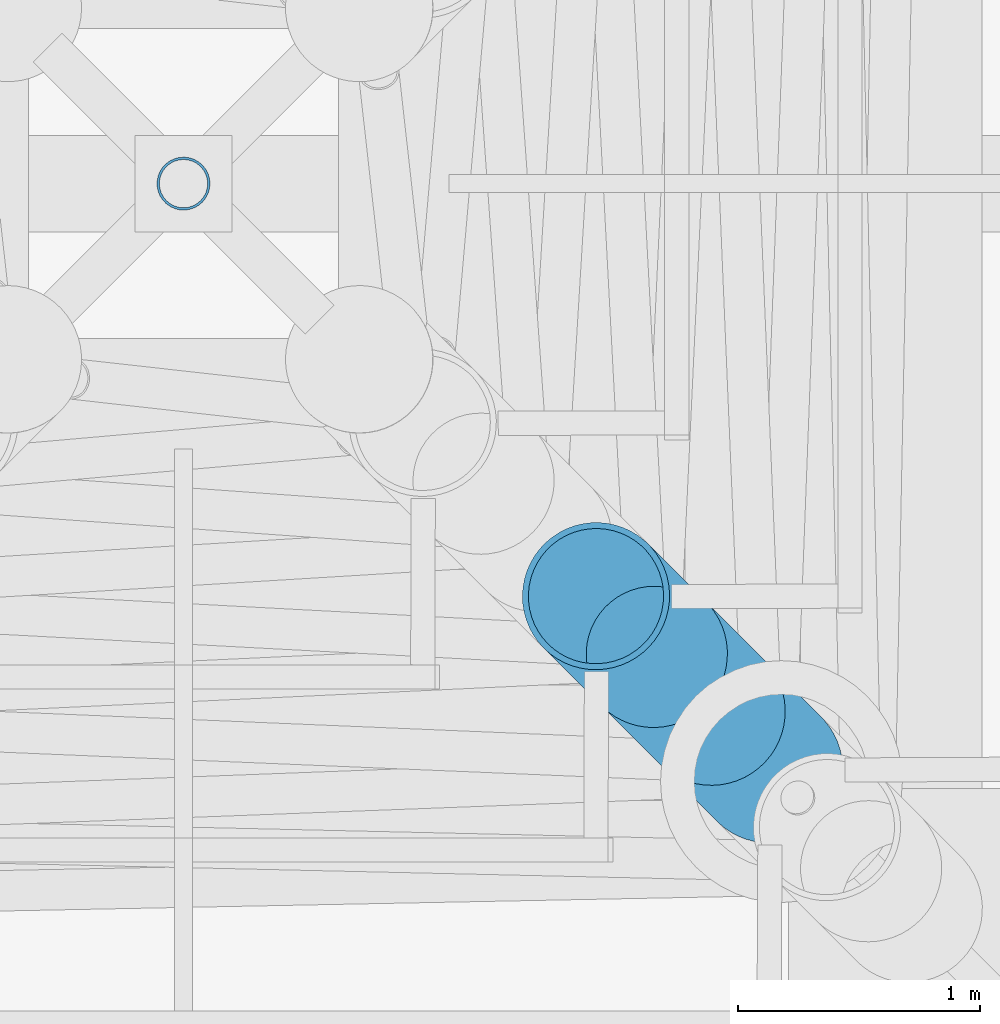
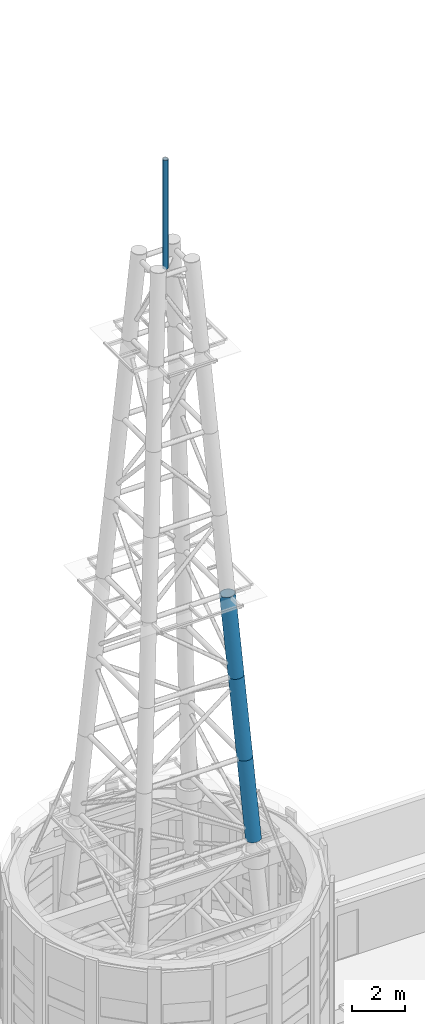
# One storey, part 3 of 36: 4 members.
"""IFC4 building model written with IfcOpenShell, lengths in metres."""

from ifc_helpers import new_model, si_unit, direction, frame, origin, origin_2d, place, context, subcontext, project, spatial, hollow_circle, extrude, material, material_profile, profile_set, type_object, element, save


model = new_model("IFC4")

# Units and contexts
model_context = context("Model", 3, precision=1e-05, world=origin(), true_north=direction((0.0, 1.0)))
body_context = subcontext(model_context, "Body", "Model", "MODEL_VIEW")
ifc_project = project(units=[si_unit("LENGTHUNIT", "METRE"), si_unit("AREAUNIT", "SQUARE_METRE"), si_unit("VOLUMEUNIT", "CUBIC_METRE"), si_unit("PLANEANGLEUNIT", "RADIAN"), si_unit("MASSUNIT", "GRAM", prefix="KILO")], contexts=[model_context])

# Site, building, storey
site_placement = place(None, origin())
site = spatial("IfcSite", under=ifc_project, at=site_placement, CompositionType="ELEMENT")
building_placement = place(site_placement, origin())
building = spatial("IfcBuilding", under=site, at=building_placement, Name="Ipe Terrace Towers", CompositionType="ELEMENT")
storey_placement = place(building_placement, frame((0.0, 0.0, 264.89990234375)))
storey = spatial("IfcBuildingStorey", under=building, at=storey_placement, Name="Roof", CompositionType="ELEMENT", Elevation=264.89990234375)

# Members
ifc_material_1 = material(Name="Steel S355", Category="steel")
ifc_material_profile_1 = material_profile(ifc_material_1, hollow_circle(Radius=0.109619140625, WallThickness=0.010009765625, at=origin_2d()), Name="MAST-ANTENNA CHS 219x10")
ifc_profile_set_1 = profile_set([ifc_material_profile_1], Name="Steel S355")
member_type_1 = type_object("IfcMemberType", Name="MAST-ANTENNA CHS 219x10", PredefinedType="USERDEFINED", material=ifc_profile_set_1)
member_1_placement = place(storey_placement, frame((-36.0, 0.0, 35.734130859375), z_axis=(0.0, 0.0, 1.0), x_axis=(1.0, 0.0, 0.0)))
element("IfcMember", 1, at=member_1_placement, inside=storey, type_object=member_type_1, Name="T1-MA-1 mast antenna", ObjectType="ANTENNA", PredefinedType="USERDEFINED", context=body_context, shape_type="SweptSolid", body=[
    extrude(hollow_circle(Radius=0.109619140625, WallThickness=0.010009765625, at=origin_2d()), origin(), (0.0, 0.0, 1.0), 5.0),
])
ifc_material_2 = material(Name="Steel S355", Category="steel")
ifc_material_profile_2 = material_profile(ifc_material_2, hollow_circle(Radius=0.304931640625, WallThickness=0.02490234375, at=origin_2d()), Name="MAST-LEG CHS 610x25")
ifc_profile_set_2 = profile_set([ifc_material_profile_2], Name="Steel S355")
member_type_2 = type_object("IfcMemberType", Name="MAST-LEG CHS 610x25", PredefinedType="POST", material=ifc_profile_set_2)
member_2_placement = place(storey_placement, frame((-33.5791015625, -2.4208984375, 10.18701171875), z_axis=(-0.064211293321, 0.064211293321, 0.995868374646), x_axis=(-0.707106781187, -0.707106781187, 0.0)))
element("IfcMember", 2, at=member_2_placement, inside=storey, type_object=member_type_2, Name="T1-MS-024 mast leg", PredefinedType="POST", context=body_context, shape_type="SweptSolid", body=[
    extrude(hollow_circle(Radius=0.304931640625, WallThickness=0.02490234375, at=origin_2d()), origin(), (0.0, 0.0, 1.0), 3.703369140625),
])
member_3_placement = place(storey_placement, frame((-33.81689453125, -2.18310546875, 13.875), z_axis=(-0.064555132618, 0.064555132618, 0.99582391501), x_axis=(-0.707106781187, -0.707106781187, 0.0)))
element("IfcMember", 3, at=member_3_placement, inside=storey, type_object=member_type_2, Name="T1-MS-025 mast leg", PredefinedType="POST", context=body_context, shape_type="SweptSolid", body=[
    extrude(hollow_circle(Radius=0.304931640625, WallThickness=0.02490234375, at=origin_2d()), origin(), (0.0, 0.0, 1.0), 3.702392578125),
])
member_4_placement = place(storey_placement, frame((-34.055908203125, -1.944091796875, 17.56201171875), z_axis=(-0.06453818113, 0.06453818113, 0.995826112508), x_axis=(-0.707106781187, -0.707106781187, 0.0)))
element("IfcMember", 4, at=member_4_placement, inside=storey, type_object=member_type_2, Name="T1-MS-026 mast leg", PredefinedType="POST", context=body_context, shape_type="SweptSolid", body=[
    extrude(hollow_circle(Radius=0.304931640625, WallThickness=0.02490234375, at=origin_2d()), origin(), (0.0, 0.0, 1.0), 3.703369140625),
])

save(model, "model.ifc")
